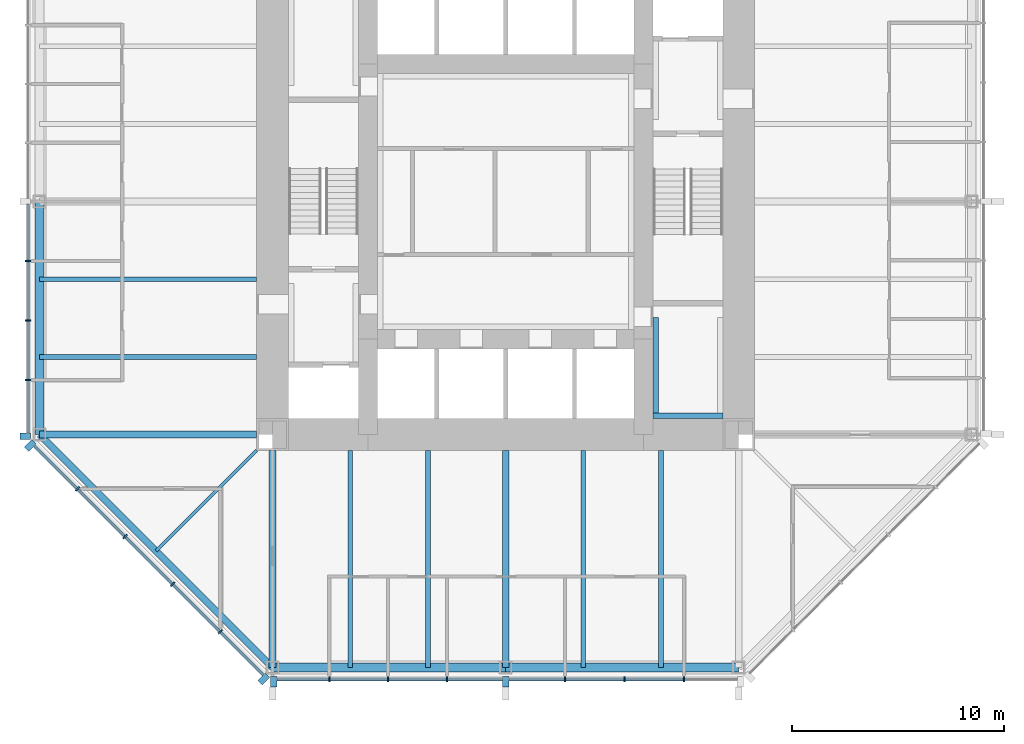
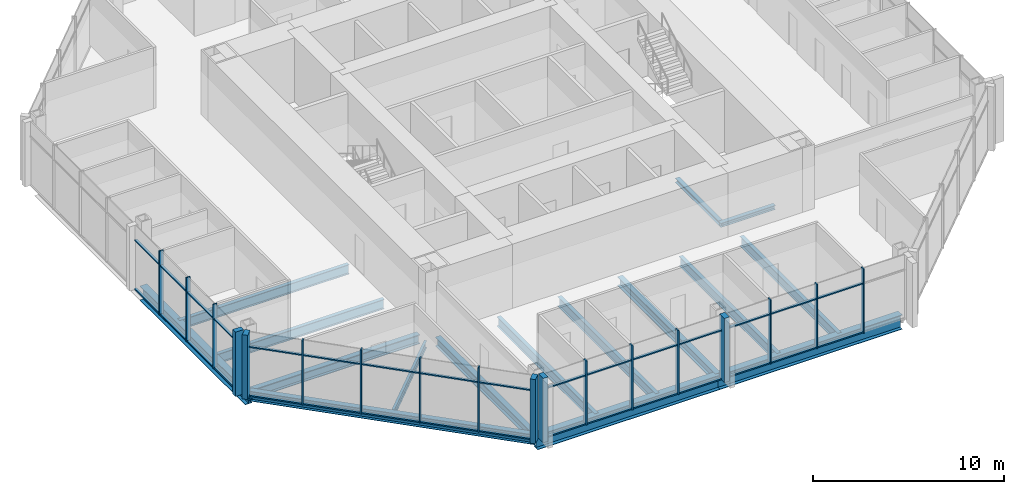
# One storey, part 2 of 12: 50 members, 16 beams, 3 elements without a shape of their own.
"""IFC4 building model written with IfcOpenShell, lengths in metres."""

from ifc_helpers import new_model, si_unit, direction, frame, origin, origin_2d, place, context, subcontext, project, spatial, rectangle, i_section, extrude, material, material_profile, profile_set, type_object, element, aggregate, save


model = new_model("IFC4")

# Units and contexts
model_context = context("Model", 3, precision=1e-05, world=origin(), true_north=direction((0.0, 1.0)))
body_context = subcontext(model_context, "Body", "Model", "MODEL_VIEW")
ifc_project = project(units=[si_unit("LENGTHUNIT", "METRE"), si_unit("AREAUNIT", "SQUARE_METRE"), si_unit("VOLUMEUNIT", "CUBIC_METRE"), si_unit("PLANEANGLEUNIT", "RADIAN"), si_unit("MASSUNIT", "GRAM", prefix="KILO")], contexts=[model_context])

# Site, building, storey
site_placement = place(None, origin())
site = spatial("IfcSite", under=ifc_project, at=site_placement, CompositionType="ELEMENT")
building_placement = place(site_placement, origin())
building = spatial("IfcBuilding", under=site, at=building_placement, Name="Trevanion Tower", CompositionType="ELEMENT")
storey_placement = place(building_placement, frame((0.0, 0.0, 162.300048828125)))
storey = spatial("IfcBuildingStorey", under=building, at=storey_placement, Name="L38", CompositionType="ELEMENT", Elevation=162.300048828125)

# Beams
ifc_material_1 = material(Name="Steel ASTM A992 Grade 50", Category="steel")
ifc_material_profile_1 = material_profile(ifc_material_1, i_section(OverallWidth=0.22900390625, OverallDepth=0.612060546875, WebThickness=0.011962890625, FlangeThickness=0.01953125, at=origin_2d()), Name="W24X84")
ifc_profile_set_1 = profile_set([ifc_material_profile_1], Name="Steel ASTM A992 Grade 50")
beam_type_1 = type_object("IfcBeamType", Name="B7 W24X84", PredefinedType="BEAM", material=ifc_profile_set_1)
for number, where, z_axis, x_axis, name in (
    (1, (-11.75, -3.666748046875, -0.49609375), (-1.0, 0.0, 0.0), (0.0, -1.0, 0.0), "B7 L38"),
    (2, (-11.75, -7.333251953125, -0.49609375), (-1.0, 0.0, 0.0), (0.0, -1.0, 0.0), "B7 L38"),
    (3, (-7.333251953125, -11.75, -0.49609375), (0.0, -1.0, 0.0), (1.0, 0.0, 0.0), "B7 L38"),
    (4, (-3.666748046875, -11.75, -0.49609375), (0.0, -1.0, 0.0), (1.0, 0.0, 0.0), "B7 L38"),
    (5, (3.666748046875, -11.75, -0.49609375), (0.0, -1.0, 0.0), (1.0, 0.0, 0.0), "B7 L38"),
    (6, (7.333251953125, -11.75, -0.49609375), (0.0, -1.0, 0.0), (1.0, 0.0, 0.0), "B7 L38"),
):
    element("IfcBeam", number, at=place(storey_placement, frame(where, z_axis=z_axis, x_axis=x_axis)), inside=storey, type_object=beam_type_1, Name=name, PredefinedType="BEAM", context=body_context, shape_type="SweptSolid", body=[
        extrude(i_section(OverallWidth=0.22900390625, OverallDepth=0.612060546875, WebThickness=0.011962890625, FlangeThickness=0.01953125, at=origin_2d()), origin(), (0.0, 0.0, 1.0), 10.25),
    ])
ifc_material_2 = material(Name="Steel ASTM A992 Grade 50", Category="steel")
ifc_material_profile_2 = material_profile(ifc_material_2, i_section(OverallWidth=0.15234375, OverallDepth=0.449462890625, WebThickness=0.007568359375, FlangeThickness=0.0107421875, at=origin_2d()), Name="W18X35")
ifc_profile_set_2 = profile_set([ifc_material_profile_2], Name="Steel ASTM A992 Grade 50")
beam_type_2 = type_object("IfcBeamType", Name="B8 W18X35", PredefinedType="BEAM", material=ifc_profile_set_2)
beam_1_placement = place(storey_placement, frame((-11.75, -11.75, -0.414794921875), z_axis=(-0.707106781187, -0.707106781187, 0.0), x_axis=(0.707106781187, -0.707106781187, 0.0)))
element("IfcBeam", 7, at=beam_1_placement, inside=storey, type_object=beam_type_2, Name="B8 L38", PredefinedType="BEAM", context=body_context, shape_type="SweptSolid", body=[
    extrude(i_section(OverallWidth=0.15234375, OverallDepth=0.449462890625, WebThickness=0.007568359375, FlangeThickness=0.0107421875, at=origin_2d()), origin(), (0.0, 0.0, 1.0), 6.717529296875),
])

# Curtain wall, members
ifc_material_3 = material(Name="Aluminium and glass", Category="aluminium")
curtain_wall_type = type_object("IfcCurtainWallType", Name="CW2 curtain wall", PredefinedType="USERDEFINED", material=ifc_material_3)
curtain_wall_1_placement = place(storey_placement, origin())
curtain_wall_1 = element("IfcCurtainWall", 8, at=curtain_wall_1_placement, inside=storey, type_object=curtain_wall_type, Name="CW2 L38 4", ObjectType="UNITISED CURTAIN WALL", PredefinedType="USERDEFINED")
ifc_material_4 = material(Name="Aluminium extrusion, anodised bronze", Category="aluminium")
ifc_material_profile_3 = material_profile(ifc_material_4, rectangle(XDim=0.074951171875, YDim=0.25, at=origin_2d()), Name="CW2 mullion")
ifc_profile_set_3 = profile_set([ifc_material_profile_3], Name="Aluminium extrusion, anodised bronze")
member_type_1 = type_object("IfcMemberType", Name="CW2 mullion", PredefinedType="MULLION", material=ifc_profile_set_3)
member_1_placement = place(storey_placement, frame((-22.550048828125, -2.806884765625, -0.18994140625), z_axis=(0.0, 0.0, 1.0), x_axis=(0.0, -1.0, 0.0)))
member_1 = element("IfcMember", 9, at=member_1_placement, type_object=member_type_1, Name="CW2 mullion 6", PredefinedType="MULLION", context=body_context, shape_type="SweptSolid", body=[
    extrude(rectangle(XDim=0.074951171875, YDim=0.25, at=origin_2d()), origin(), (0.0, 0.0, 1.0), 4.099853515625),
])
member_2_placement = place(storey_placement, frame((-22.550048828125, -5.614013671875, -0.18994140625), z_axis=(0.0, 0.0, 1.0), x_axis=(0.0, -1.0, 0.0)))
member_2 = element("IfcMember", 10, at=member_2_placement, type_object=member_type_1, Name="CW2 mullion 7", PredefinedType="MULLION", context=body_context, shape_type="SweptSolid", body=[
    extrude(rectangle(XDim=0.074951171875, YDim=0.25, at=origin_2d()), origin(), (0.0, 0.0, 1.0), 4.099853515625),
])
member_3_placement = place(storey_placement, frame((-22.550048828125, -8.4208984375, -0.18994140625), z_axis=(0.0, 0.0, 1.0), x_axis=(0.0, -1.0, 0.0)))
member_3 = element("IfcMember", 11, at=member_3_placement, type_object=member_type_1, Name="CW2 mullion 8", PredefinedType="MULLION", context=body_context, shape_type="SweptSolid", body=[
    extrude(rectangle(XDim=0.074951171875, YDim=0.25, at=origin_2d()), origin(), (0.0, 0.0, 1.0), 4.099853515625),
])

curtain_wall_2_placement = place(storey_placement, origin())
curtain_wall_2 = element("IfcCurtainWall", 12, at=curtain_wall_2_placement, inside=storey, type_object=curtain_wall_type, Name="CW2 L38 5", ObjectType="UNITISED CURTAIN WALL", PredefinedType="USERDEFINED")
member_4_placement = place(storey_placement, frame((-20.2119140625, -13.56591796875, -0.18994140625), z_axis=(0.0, 0.0, 1.0), x_axis=(0.707106781187, -0.707106781187, 0.0)))
member_4 = element("IfcMember", 13, at=member_4_placement, type_object=member_type_1, Name="CW2 mullion 2", PredefinedType="MULLION", context=body_context, shape_type="SweptSolid", body=[
    extrude(rectangle(XDim=0.074951171875, YDim=0.25, at=origin_2d()), origin(), (0.0, 0.0, 1.0), 4.099853515625),
])
member_5_placement = place(storey_placement, frame((-17.966064453125, -15.811767578125, -0.18994140625), z_axis=(0.0, 0.0, 1.0), x_axis=(0.707106781187, -0.707106781187, 0.0)))
member_5 = element("IfcMember", 14, at=member_5_placement, type_object=member_type_1, Name="CW2 mullion 3", PredefinedType="MULLION", context=body_context, shape_type="SweptSolid", body=[
    extrude(rectangle(XDim=0.074951171875, YDim=0.25, at=origin_2d()), origin(), (0.0, 0.0, 1.0), 4.099853515625),
])
member_6_placement = place(storey_placement, frame((-15.719970703125, -18.057861328125, -0.18994140625), z_axis=(0.0, 0.0, 1.0), x_axis=(0.707106781187, -0.707106781187, 0.0)))
member_6 = element("IfcMember", 15, at=member_6_placement, type_object=member_type_1, Name="CW2 mullion 4", PredefinedType="MULLION", context=body_context, shape_type="SweptSolid", body=[
    extrude(rectangle(XDim=0.074951171875, YDim=0.25, at=origin_2d()), origin(), (0.0, 0.0, 1.0), 4.099853515625),
])
member_7_placement = place(storey_placement, frame((-13.473876953125, -20.303955078125, -0.18994140625), z_axis=(0.0, 0.0, 1.0), x_axis=(0.707106781187, -0.707106781187, 0.0)))
member_7 = element("IfcMember", 16, at=member_7_placement, type_object=member_type_1, Name="CW2 mullion 5", PredefinedType="MULLION", context=body_context, shape_type="SweptSolid", body=[
    extrude(rectangle(XDim=0.074951171875, YDim=0.25, at=origin_2d()), origin(), (0.0, 0.0, 1.0), 4.099853515625),
])

curtain_wall_3_placement = place(storey_placement, origin())
curtain_wall_3 = element("IfcCurtainWall", 17, at=curtain_wall_3_placement, inside=storey, type_object=curtain_wall_type, Name="CW2 L38 6", ObjectType="UNITISED CURTAIN WALL", PredefinedType="USERDEFINED")
member_8_placement = place(storey_placement, frame((-8.323486328125, -22.550048828125, -0.18994140625), z_axis=(0.0, 0.0, 1.0), x_axis=(1.0, 0.0, 0.0)))
member_8 = element("IfcMember", 18, at=member_8_placement, type_object=member_type_1, Name="CW2 mullion 2", PredefinedType="MULLION", context=body_context, shape_type="SweptSolid", body=[
    extrude(rectangle(XDim=0.074951171875, YDim=0.25, at=origin_2d()), origin(), (0.0, 0.0, 1.0), 4.099853515625),
])
member_9_placement = place(storey_placement, frame((-5.548828125, -22.550048828125, -0.18994140625), z_axis=(0.0, 0.0, 1.0), x_axis=(1.0, 0.0, 0.0)))
member_9 = element("IfcMember", 19, at=member_9_placement, type_object=member_type_1, Name="CW2 mullion 3", PredefinedType="MULLION", context=body_context, shape_type="SweptSolid", body=[
    extrude(rectangle(XDim=0.074951171875, YDim=0.25, at=origin_2d()), origin(), (0.0, 0.0, 1.0), 4.099853515625),
])
member_10_placement = place(storey_placement, frame((-2.7744140625, -22.550048828125, -0.18994140625), z_axis=(0.0, 0.0, 1.0), x_axis=(1.0, 0.0, 0.0)))
member_10 = element("IfcMember", 20, at=member_10_placement, type_object=member_type_1, Name="CW2 mullion 4", PredefinedType="MULLION", context=body_context, shape_type="SweptSolid", body=[
    extrude(rectangle(XDim=0.074951171875, YDim=0.25, at=origin_2d()), origin(), (0.0, 0.0, 1.0), 4.099853515625),
])
member_11_placement = place(storey_placement, frame((2.806884765625, -22.550048828125, -0.18994140625), z_axis=(0.0, 0.0, 1.0), x_axis=(1.0, 0.0, 0.0)))
member_11 = element("IfcMember", 21, at=member_11_placement, type_object=member_type_1, Name="CW2 mullion 6", PredefinedType="MULLION", context=body_context, shape_type="SweptSolid", body=[
    extrude(rectangle(XDim=0.074951171875, YDim=0.25, at=origin_2d()), origin(), (0.0, 0.0, 1.0), 4.099853515625),
])
member_12_placement = place(storey_placement, frame((5.614013671875, -22.550048828125, -0.18994140625), z_axis=(0.0, 0.0, 1.0), x_axis=(1.0, 0.0, 0.0)))
member_12 = element("IfcMember", 22, at=member_12_placement, type_object=member_type_1, Name="CW2 mullion 7", PredefinedType="MULLION", context=body_context, shape_type="SweptSolid", body=[
    extrude(rectangle(XDim=0.074951171875, YDim=0.25, at=origin_2d()), origin(), (0.0, 0.0, 1.0), 4.099853515625),
])
member_13_placement = place(storey_placement, frame((8.4208984375, -22.550048828125, -0.18994140625), z_axis=(0.0, 0.0, 1.0), x_axis=(1.0, 0.0, 0.0)))
member_13 = element("IfcMember", 23, at=member_13_placement, type_object=member_type_1, Name="CW2 mullion 8", PredefinedType="MULLION", context=body_context, shape_type="SweptSolid", body=[
    extrude(rectangle(XDim=0.074951171875, YDim=0.25, at=origin_2d()), origin(), (0.0, 0.0, 1.0), 4.099853515625),
])

# Member
ifc_material_5 = material(Name="Aluminium extrusion, anodised bronze", Category="aluminium")
ifc_material_profile_4 = material_profile(ifc_material_5, rectangle(XDim=0.300048828125, YDim=0.5, at=origin_2d()), Name="CW2 pier mullion")
ifc_profile_set_4 = profile_set([ifc_material_profile_4], Name="Aluminium extrusion, anodised bronze")
member_type_2 = type_object("IfcMemberType", Name="CW2 pier mullion", PredefinedType="MULLION", material=ifc_profile_set_4)
member_14_placement = place(storey_placement, frame((-22.675048828125, -11.077880859375, -0.18994140625), z_axis=(0.0, 0.0, 1.0), x_axis=(0.0, -1.0, 0.0)))
member_14 = element("IfcMember", 24, at=member_14_placement, type_object=member_type_2, Name="CW2 pier mullion 9", PredefinedType="MULLION", context=body_context, shape_type="SweptSolid", body=[
    extrude(rectangle(XDim=0.300048828125, YDim=0.5, at=origin_2d()), origin(), (0.0, 0.0, 1.0), 4.099853515625),
])

member_15_placement = place(storey_placement, frame((-22.4404296875, -11.51416015625, -0.18994140625), z_axis=(0.0, 0.0, 1.0), x_axis=(0.707106781187, -0.707106781187, 0.0)))
member_15 = element("IfcMember", 25, at=member_15_placement, type_object=member_type_2, Name="CW2 pier mullion 1", PredefinedType="MULLION", context=body_context, shape_type="SweptSolid", body=[
    extrude(rectangle(XDim=0.300048828125, YDim=0.5, at=origin_2d()), origin(), (0.0, 0.0, 1.0), 4.099853515625),
])

member_16_placement = place(storey_placement, frame((-11.42236328125, -22.5322265625, -0.18994140625), z_axis=(0.0, 0.0, 1.0), x_axis=(0.707106781187, -0.707106781187, 0.0)))
member_16 = element("IfcMember", 26, at=member_16_placement, type_object=member_type_2, Name="CW2 pier mullion 6", PredefinedType="MULLION", context=body_context, shape_type="SweptSolid", body=[
    extrude(rectangle(XDim=0.300048828125, YDim=0.5, at=origin_2d()), origin(), (0.0, 0.0, 1.0), 4.099853515625),
])

member_17_placement = place(storey_placement, frame((-10.94775390625, -22.675048828125, -0.18994140625), z_axis=(0.0, 0.0, 1.0), x_axis=(1.0, 0.0, 0.0)))
member_17 = element("IfcMember", 27, at=member_17_placement, type_object=member_type_2, Name="CW2 pier mullion 1", PredefinedType="MULLION", context=body_context, shape_type="SweptSolid", body=[
    extrude(rectangle(XDim=0.300048828125, YDim=0.5, at=origin_2d()), origin(), (0.0, 0.0, 1.0), 4.099853515625),
])

member_18_placement = place(storey_placement, frame((0.0, -22.675048828125, -0.18994140625), z_axis=(0.0, 0.0, 1.0), x_axis=(1.0, 0.0, 0.0)))
member_18 = element("IfcMember", 28, at=member_18_placement, type_object=member_type_2, Name="CW2 pier mullion 5", PredefinedType="MULLION", context=body_context, shape_type="SweptSolid", body=[
    extrude(rectangle(XDim=0.300048828125, YDim=0.5, at=origin_2d()), origin(), (0.0, 0.0, 1.0), 4.099853515625),
])

ifc_material_6 = material(Name="Aluminium extrusion, anodised bronze", Category="aluminium")
ifc_material_profile_5 = material_profile(ifc_material_6, rectangle(XDim=0.14990234375, YDim=0.074951171875, at=origin_2d()), Name="CW2 transom")
ifc_profile_set_5 = profile_set([ifc_material_profile_5], Name="Aluminium extrusion, anodised bronze")
member_type_3 = type_object("IfcMemberType", Name="CW2 transom", PredefinedType="USERDEFINED", material=ifc_profile_set_5)
member_19_placement = place(storey_placement, frame((-22.550048828125, -0.14990234375, -0.152587890625), z_axis=(0.0, -1.0, 0.0), x_axis=(1.0, 0.0, 0.0)))
member_19 = element("IfcMember", 29, at=member_19_placement, type_object=member_type_3, Name="CW2 transom 5.1", ObjectType="TRANSOM", PredefinedType="USERDEFINED", context=body_context, shape_type="SweptSolid", body=[
    extrude(rectangle(XDim=0.14990234375, YDim=0.074951171875, at=origin_2d()), origin(), (0.0, 0.0, 1.0), 2.619384765625),
])

member_20_placement = place(storey_placement, frame((-22.550048828125, -0.14990234375, 2.9599609375), z_axis=(0.0, -1.0, 0.0), x_axis=(1.0, 0.0, 0.0)))
member_20 = element("IfcMember", 30, at=member_20_placement, type_object=member_type_3, Name="CW2 transom 5.2", ObjectType="TRANSOM", PredefinedType="USERDEFINED", context=body_context, shape_type="SweptSolid", body=[
    extrude(rectangle(XDim=0.14990234375, YDim=0.074951171875, at=origin_2d()), origin(), (0.0, 0.0, 1.0), 2.619384765625),
])

member_21_placement = place(storey_placement, frame((-22.550048828125, -2.844482421875, -0.152587890625), z_axis=(0.0, -1.0, 0.0), x_axis=(1.0, 0.0, 0.0)))
member_21 = element("IfcMember", 31, at=member_21_placement, type_object=member_type_3, Name="CW2 transom 6.1", ObjectType="TRANSOM", PredefinedType="USERDEFINED", context=body_context, shape_type="SweptSolid", body=[
    extrude(rectangle(XDim=0.14990234375, YDim=0.074951171875, at=origin_2d()), origin(), (0.0, 0.0, 1.0), 2.73193359375),
])

member_22_placement = place(storey_placement, frame((-22.550048828125, -2.844482421875, 2.9599609375), z_axis=(0.0, -1.0, 0.0), x_axis=(1.0, 0.0, 0.0)))
member_22 = element("IfcMember", 32, at=member_22_placement, type_object=member_type_3, Name="CW2 transom 6.2", ObjectType="TRANSOM", PredefinedType="USERDEFINED", context=body_context, shape_type="SweptSolid", body=[
    extrude(rectangle(XDim=0.14990234375, YDim=0.074951171875, at=origin_2d()), origin(), (0.0, 0.0, 1.0), 2.73193359375),
])

member_23_placement = place(storey_placement, frame((-22.550048828125, -5.6513671875, -0.152587890625), z_axis=(0.0, -1.0, 0.0), x_axis=(1.0, 0.0, 0.0)))
member_23 = element("IfcMember", 33, at=member_23_placement, type_object=member_type_3, Name="CW2 transom 7.1", ObjectType="TRANSOM", PredefinedType="USERDEFINED", context=body_context, shape_type="SweptSolid", body=[
    extrude(rectangle(XDim=0.14990234375, YDim=0.074951171875, at=origin_2d()), origin(), (0.0, 0.0, 1.0), 2.73193359375),
])

member_24_placement = place(storey_placement, frame((-22.550048828125, -5.6513671875, 2.9599609375), z_axis=(0.0, -1.0, 0.0), x_axis=(1.0, 0.0, 0.0)))
member_24 = element("IfcMember", 34, at=member_24_placement, type_object=member_type_3, Name="CW2 transom 7.2", ObjectType="TRANSOM", PredefinedType="USERDEFINED", context=body_context, shape_type="SweptSolid", body=[
    extrude(rectangle(XDim=0.14990234375, YDim=0.074951171875, at=origin_2d()), origin(), (0.0, 0.0, 1.0), 2.73193359375),
])

member_25_placement = place(storey_placement, frame((-22.550048828125, -8.45849609375, -0.152587890625), z_axis=(0.0, -1.0, 0.0), x_axis=(1.0, 0.0, 0.0)))
member_25 = element("IfcMember", 35, at=member_25_placement, type_object=member_type_3, Name="CW2 transom 8.1", ObjectType="TRANSOM", PredefinedType="USERDEFINED", context=body_context, shape_type="SweptSolid", body=[
    extrude(rectangle(XDim=0.14990234375, YDim=0.074951171875, at=origin_2d()), origin(), (0.0, 0.0, 1.0), 2.46923828125),
])

member_26_placement = place(storey_placement, frame((-22.550048828125, -8.45849609375, 2.9599609375), z_axis=(0.0, -1.0, 0.0), x_axis=(1.0, 0.0, 0.0)))
member_26 = element("IfcMember", 36, at=member_26_placement, type_object=member_type_3, Name="CW2 transom 8.2", ObjectType="TRANSOM", PredefinedType="USERDEFINED", context=body_context, shape_type="SweptSolid", body=[
    extrude(rectangle(XDim=0.14990234375, YDim=0.074951171875, at=origin_2d()), origin(), (0.0, 0.0, 1.0), 2.46923828125),
])

aggregate(curtain_wall_1, [member_1, member_2, member_3, member_14, member_19, member_20, member_21, member_22, member_23, member_24, member_25, member_26])

member_27_placement = place(storey_placement, frame((-22.245849609375, -11.531982421875, -0.152587890625), z_axis=(0.707106781187, -0.707106781187, 0.0), x_axis=(0.707106781187, 0.707106781187, 0.0)))
member_27 = element("IfcMember", 37, at=member_27_placement, type_object=member_type_3, Name="CW2 transom 1.1", ObjectType="TRANSOM", PredefinedType="USERDEFINED", context=body_context, shape_type="SweptSolid", body=[
    extrude(rectangle(XDim=0.14990234375, YDim=0.074951171875, at=origin_2d()), origin(), (0.0, 0.0, 1.0), 2.8388671875),
])

member_28_placement = place(storey_placement, frame((-22.245849609375, -11.531982421875, 2.9599609375), z_axis=(0.707106781187, -0.707106781187, 0.0), x_axis=(0.707106781187, 0.707106781187, 0.0)))
member_28 = element("IfcMember", 38, at=member_28_placement, type_object=member_type_3, Name="CW2 transom 1.2", ObjectType="TRANSOM", PredefinedType="USERDEFINED", context=body_context, shape_type="SweptSolid", body=[
    extrude(rectangle(XDim=0.14990234375, YDim=0.074951171875, at=origin_2d()), origin(), (0.0, 0.0, 1.0), 2.8388671875),
])

member_29_placement = place(storey_placement, frame((-20.185546875, -13.59228515625, -0.152587890625), z_axis=(0.707106781187, -0.707106781187, 0.0), x_axis=(0.707106781187, 0.707106781187, 0.0)))
member_29 = element("IfcMember", 39, at=member_29_placement, type_object=member_type_3, Name="CW2 transom 2.1", ObjectType="TRANSOM", PredefinedType="USERDEFINED", context=body_context, shape_type="SweptSolid", body=[
    extrude(rectangle(XDim=0.14990234375, YDim=0.074951171875, at=origin_2d()), origin(), (0.0, 0.0, 1.0), 3.1015625),
])

member_30_placement = place(storey_placement, frame((-20.185546875, -13.59228515625, 2.9599609375), z_axis=(0.707106781187, -0.707106781187, 0.0), x_axis=(0.707106781187, 0.707106781187, 0.0)))
member_30 = element("IfcMember", 40, at=member_30_placement, type_object=member_type_3, Name="CW2 transom 2.2", ObjectType="TRANSOM", PredefinedType="USERDEFINED", context=body_context, shape_type="SweptSolid", body=[
    extrude(rectangle(XDim=0.14990234375, YDim=0.074951171875, at=origin_2d()), origin(), (0.0, 0.0, 1.0), 3.1015625),
])

member_31_placement = place(storey_placement, frame((-17.939453125, -15.83837890625, -0.152587890625), z_axis=(0.707106781187, -0.707106781187, 0.0), x_axis=(0.707106781187, 0.707106781187, 0.0)))
member_31 = element("IfcMember", 41, at=member_31_placement, type_object=member_type_3, Name="CW2 transom 3.1", ObjectType="TRANSOM", PredefinedType="USERDEFINED", context=body_context, shape_type="SweptSolid", body=[
    extrude(rectangle(XDim=0.14990234375, YDim=0.074951171875, at=origin_2d()), origin(), (0.0, 0.0, 1.0), 3.1015625),
])

member_32_placement = place(storey_placement, frame((-17.939453125, -15.83837890625, 2.9599609375), z_axis=(0.707106781187, -0.707106781187, 0.0), x_axis=(0.707106781187, 0.707106781187, 0.0)))
member_32 = element("IfcMember", 42, at=member_32_placement, type_object=member_type_3, Name="CW2 transom 3.2", ObjectType="TRANSOM", PredefinedType="USERDEFINED", context=body_context, shape_type="SweptSolid", body=[
    extrude(rectangle(XDim=0.14990234375, YDim=0.074951171875, at=origin_2d()), origin(), (0.0, 0.0, 1.0), 3.1015625),
])

member_33_placement = place(storey_placement, frame((-15.693359375, -18.08447265625, -0.152587890625), z_axis=(0.707106781187, -0.707106781187, 0.0), x_axis=(0.707106781187, 0.707106781187, 0.0)))
member_33 = element("IfcMember", 43, at=member_33_placement, type_object=member_type_3, Name="CW2 transom 4.1", ObjectType="TRANSOM", PredefinedType="USERDEFINED", context=body_context, shape_type="SweptSolid", body=[
    extrude(rectangle(XDim=0.14990234375, YDim=0.074951171875, at=origin_2d()), origin(), (0.0, 0.0, 1.0), 3.10107421875),
])

member_34_placement = place(storey_placement, frame((-15.693359375, -18.08447265625, 2.9599609375), z_axis=(0.707106781187, -0.707106781187, 0.0), x_axis=(0.707106781187, 0.707106781187, 0.0)))
member_34 = element("IfcMember", 44, at=member_34_placement, type_object=member_type_3, Name="CW2 transom 4.2", ObjectType="TRANSOM", PredefinedType="USERDEFINED", context=body_context, shape_type="SweptSolid", body=[
    extrude(rectangle(XDim=0.14990234375, YDim=0.074951171875, at=origin_2d()), origin(), (0.0, 0.0, 1.0), 3.10107421875),
])

member_35_placement = place(storey_placement, frame((-13.447509765625, -20.33056640625, -0.152587890625), z_axis=(0.707149778163, -0.707063781595, 0.0), x_axis=(0.707063781595, 0.707149778163, 0.0)))
member_35 = element("IfcMember", 45, at=member_35_placement, type_object=member_type_3, Name="CW2 transom 5.1", ObjectType="TRANSOM", PredefinedType="USERDEFINED", context=body_context, shape_type="SweptSolid", body=[
    extrude(rectangle(XDim=0.14990234375, YDim=0.074951171875, at=origin_2d()), origin(), (0.0, 0.0, 1.0), 2.8388671875),
])

member_36_placement = place(storey_placement, frame((-13.447509765625, -20.33056640625, 2.9599609375), z_axis=(0.707149778163, -0.707063781595, 0.0), x_axis=(0.707063781595, 0.707149778163, 0.0)))
member_36 = element("IfcMember", 46, at=member_36_placement, type_object=member_type_3, Name="CW2 transom 5.2", ObjectType="TRANSOM", PredefinedType="USERDEFINED", context=body_context, shape_type="SweptSolid", body=[
    extrude(rectangle(XDim=0.14990234375, YDim=0.074951171875, at=origin_2d()), origin(), (0.0, 0.0, 1.0), 2.8388671875),
])

aggregate(curtain_wall_2, [member_15, member_4, member_5, member_6, member_7, member_16, member_27, member_28, member_29, member_30, member_31, member_32, member_33, member_34, member_35, member_36])

member_37_placement = place(storey_placement, frame((-10.7978515625, -22.550048828125, -0.152587890625), z_axis=(1.0, 0.0, 0.0), x_axis=(0.0, 1.0, 0.0)))
member_37 = element("IfcMember", 47, at=member_37_placement, type_object=member_type_3, Name="CW2 transom 1.1", ObjectType="TRANSOM", PredefinedType="USERDEFINED", context=body_context, shape_type="SweptSolid", body=[
    extrude(rectangle(XDim=0.14990234375, YDim=0.074951171875, at=origin_2d()), origin(), (0.0, 0.0, 1.0), 2.43701171875),
])

member_38_placement = place(storey_placement, frame((-10.7978515625, -22.550048828125, 2.9599609375), z_axis=(1.0, 0.0, 0.0), x_axis=(0.0, 1.0, 0.0)))
member_38 = element("IfcMember", 48, at=member_38_placement, type_object=member_type_3, Name="CW2 transom 1.2", ObjectType="TRANSOM", PredefinedType="USERDEFINED", context=body_context, shape_type="SweptSolid", body=[
    extrude(rectangle(XDim=0.14990234375, YDim=0.074951171875, at=origin_2d()), origin(), (0.0, 0.0, 1.0), 2.43701171875),
])

member_39_placement = place(storey_placement, frame((-8.285888671875, -22.550048828125, -0.152587890625), z_axis=(1.0, 0.0, 0.0), x_axis=(0.0, 1.0, 0.0)))
member_39 = element("IfcMember", 49, at=member_39_placement, type_object=member_type_3, Name="CW2 transom 2.1", ObjectType="TRANSOM", PredefinedType="USERDEFINED", context=body_context, shape_type="SweptSolid", body=[
    extrude(rectangle(XDim=0.14990234375, YDim=0.074951171875, at=origin_2d()), origin(), (0.0, 0.0, 1.0), 2.699462890625),
])

member_40_placement = place(storey_placement, frame((-8.285888671875, -22.550048828125, 2.9599609375), z_axis=(1.0, 0.0, 0.0), x_axis=(0.0, 1.0, 0.0)))
member_40 = element("IfcMember", 50, at=member_40_placement, type_object=member_type_3, Name="CW2 transom 2.2", ObjectType="TRANSOM", PredefinedType="USERDEFINED", context=body_context, shape_type="SweptSolid", body=[
    extrude(rectangle(XDim=0.14990234375, YDim=0.074951171875, at=origin_2d()), origin(), (0.0, 0.0, 1.0), 2.699462890625),
])

member_41_placement = place(storey_placement, frame((-5.511474609375, -22.550048828125, -0.152587890625), z_axis=(1.0, 0.0, 0.0), x_axis=(0.0, 1.0, 0.0)))
member_41 = element("IfcMember", 51, at=member_41_placement, type_object=member_type_3, Name="CW2 transom 3.1", ObjectType="TRANSOM", PredefinedType="USERDEFINED", context=body_context, shape_type="SweptSolid", body=[
    extrude(rectangle(XDim=0.14990234375, YDim=0.074951171875, at=origin_2d()), origin(), (0.0, 0.0, 1.0), 2.699462890625),
])

member_42_placement = place(storey_placement, frame((-5.511474609375, -22.550048828125, 2.9599609375), z_axis=(1.0, 0.0, 0.0), x_axis=(0.0, 1.0, 0.0)))
member_42 = element("IfcMember", 52, at=member_42_placement, type_object=member_type_3, Name="CW2 transom 3.2", ObjectType="TRANSOM", PredefinedType="USERDEFINED", context=body_context, shape_type="SweptSolid", body=[
    extrude(rectangle(XDim=0.14990234375, YDim=0.074951171875, at=origin_2d()), origin(), (0.0, 0.0, 1.0), 2.699462890625),
])

member_43_placement = place(storey_placement, frame((-2.737060546875, -22.550048828125, -0.152587890625), z_axis=(1.0, 0.0, 0.0), x_axis=(0.0, 1.0, 0.0)))
member_43 = element("IfcMember", 53, at=member_43_placement, type_object=member_type_3, Name="CW2 transom 4.1", ObjectType="TRANSOM", PredefinedType="USERDEFINED", context=body_context, shape_type="SweptSolid", body=[
    extrude(rectangle(XDim=0.14990234375, YDim=0.074951171875, at=origin_2d()), origin(), (0.0, 0.0, 1.0), 2.587158203125),
])

member_44_placement = place(storey_placement, frame((-2.737060546875, -22.550048828125, 2.9599609375), z_axis=(1.0, 0.0, 0.0), x_axis=(0.0, 1.0, 0.0)))
member_44 = element("IfcMember", 54, at=member_44_placement, type_object=member_type_3, Name="CW2 transom 4.2", ObjectType="TRANSOM", PredefinedType="USERDEFINED", context=body_context, shape_type="SweptSolid", body=[
    extrude(rectangle(XDim=0.14990234375, YDim=0.074951171875, at=origin_2d()), origin(), (0.0, 0.0, 1.0), 2.587158203125),
])

member_45_placement = place(storey_placement, frame((0.14990234375, -22.550048828125, -0.152587890625), z_axis=(1.0, 0.0, 0.0), x_axis=(0.0, 1.0, 0.0)))
member_45 = element("IfcMember", 55, at=member_45_placement, type_object=member_type_3, Name="CW2 transom 5.1", ObjectType="TRANSOM", PredefinedType="USERDEFINED", context=body_context, shape_type="SweptSolid", body=[
    extrude(rectangle(XDim=0.14990234375, YDim=0.074951171875, at=origin_2d()), origin(), (0.0, 0.0, 1.0), 2.619384765625),
])

member_46_placement = place(storey_placement, frame((0.14990234375, -22.550048828125, 2.9599609375), z_axis=(1.0, 0.0, 0.0), x_axis=(0.0, 1.0, 0.0)))
member_46 = element("IfcMember", 56, at=member_46_placement, type_object=member_type_3, Name="CW2 transom 5.2", ObjectType="TRANSOM", PredefinedType="USERDEFINED", context=body_context, shape_type="SweptSolid", body=[
    extrude(rectangle(XDim=0.14990234375, YDim=0.074951171875, at=origin_2d()), origin(), (0.0, 0.0, 1.0), 2.619384765625),
])

member_47_placement = place(storey_placement, frame((2.844482421875, -22.550048828125, -0.152587890625), z_axis=(1.0, 0.0, 0.0), x_axis=(0.0, 1.0, 0.0)))
member_47 = element("IfcMember", 57, at=member_47_placement, type_object=member_type_3, Name="CW2 transom 6.1", ObjectType="TRANSOM", PredefinedType="USERDEFINED", context=body_context, shape_type="SweptSolid", body=[
    extrude(rectangle(XDim=0.14990234375, YDim=0.074951171875, at=origin_2d()), origin(), (0.0, 0.0, 1.0), 2.73193359375),
])

member_48_placement = place(storey_placement, frame((2.844482421875, -22.550048828125, 2.9599609375), z_axis=(1.0, 0.0, 0.0), x_axis=(0.0, 1.0, 0.0)))
member_48 = element("IfcMember", 58, at=member_48_placement, type_object=member_type_3, Name="CW2 transom 6.2", ObjectType="TRANSOM", PredefinedType="USERDEFINED", context=body_context, shape_type="SweptSolid", body=[
    extrude(rectangle(XDim=0.14990234375, YDim=0.074951171875, at=origin_2d()), origin(), (0.0, 0.0, 1.0), 2.73193359375),
])

member_49_placement = place(storey_placement, frame((5.6513671875, -22.550048828125, -0.152587890625), z_axis=(1.0, 0.0, 0.0), x_axis=(0.0, 1.0, 0.0)))
member_49 = element("IfcMember", 59, at=member_49_placement, type_object=member_type_3, Name="CW2 transom 7.1", ObjectType="TRANSOM", PredefinedType="USERDEFINED", context=body_context, shape_type="SweptSolid", body=[
    extrude(rectangle(XDim=0.14990234375, YDim=0.074951171875, at=origin_2d()), origin(), (0.0, 0.0, 1.0), 2.73193359375),
])

member_50_placement = place(storey_placement, frame((5.6513671875, -22.550048828125, 2.9599609375), z_axis=(1.0, 0.0, 0.0), x_axis=(0.0, 1.0, 0.0)))
member_50 = element("IfcMember", 60, at=member_50_placement, type_object=member_type_3, Name="CW2 transom 7.2", ObjectType="TRANSOM", PredefinedType="USERDEFINED", context=body_context, shape_type="SweptSolid", body=[
    extrude(rectangle(XDim=0.14990234375, YDim=0.074951171875, at=origin_2d()), origin(), (0.0, 0.0, 1.0), 2.73193359375),
])

aggregate(curtain_wall_3, [member_17, member_8, member_9, member_10, member_18, member_11, member_12, member_13, member_37, member_38, member_39, member_40, member_41, member_42, member_43, member_44, member_45, member_46, member_47, member_48, member_49, member_50])

# Beams
ifc_material_7 = material(Name="Steel ASTM A992 Grade 50", Category="steel")
ifc_material_profile_6 = material_profile(ifc_material_7, i_section(OverallWidth=0.320068359375, OverallDepth=0.584228515625, WebThickness=0.023193359375, FlangeThickness=0.04150390625, at=origin_2d()), Name="W21X201")
ifc_profile_set_6 = profile_set([ifc_material_profile_6], Name="Steel ASTM A992 Grade 50")
beam_type_3 = type_object("IfcBeamType", Name="G4 W21X201", PredefinedType="BEAM", material=ifc_profile_set_6)
for number, where, z_axis, x_axis, name in (
    (61, (-11.75, -11.0, -0.482177734375), (-1.0, 0.0, 0.0), (0.0, -1.0, 0.0), "G4 L38"),
    (62, (-11.0, -11.75, -0.482177734375), (0.0, -1.0, 0.0), (1.0, 0.0, 0.0), "G4 L38"),
    (63, (0.0, -11.75, -0.482177734375), (0.0, -1.0, 0.0), (1.0, 0.0, 0.0), "G4 L38"),
):
    element("IfcBeam", number, at=place(storey_placement, frame(where, z_axis=z_axis, x_axis=x_axis)), inside=storey, type_object=beam_type_3, Name=name, PredefinedType="BEAM", context=body_context, shape_type="SweptSolid", body=[
        extrude(i_section(OverallWidth=0.320068359375, OverallDepth=0.584228515625, WebThickness=0.023193359375, FlangeThickness=0.04150390625, at=origin_2d()), origin(), (0.0, 0.0, 1.0), 10.25),
    ])
ifc_material_8 = material(Name="Steel ASTM A992 Grade 50", Category="steel")
ifc_material_profile_7 = material_profile(ifc_material_8, i_section(OverallWidth=0.256591796875, OverallDepth=0.26416015625, WebThickness=0.011962890625, FlangeThickness=0.01953125, at=origin_2d()), Name="W10X68")
ifc_profile_set_7 = profile_set([ifc_material_profile_7], Name="Steel ASTM A992 Grade 50")
beam_type_4 = type_object("IfcBeamType", Name="LB1 W10X68", PredefinedType="BEAM", material=ifc_profile_set_7)
beam_2_placement = place(storey_placement, frame((7.078369140625, -10.25, -0.33203125), z_axis=(0.0, 1.0, 0.0), x_axis=(-1.0, 0.0, 0.0)))
element("IfcBeam", 64, at=beam_2_placement, inside=storey, type_object=beam_type_4, Name="LB1 L38", PredefinedType="BEAM", context=body_context, shape_type="SweptSolid", body=[
    extrude(i_section(OverallWidth=0.256591796875, OverallDepth=0.26416015625, WebThickness=0.011962890625, FlangeThickness=0.01953125, at=origin_2d()), origin(), (0.0, 0.0, 1.0), 4.77490234375),
])
beam_3_placement = place(storey_placement, frame((6.949951171875, -10.12158203125, -0.33203125), z_axis=(1.0, 0.0, 0.0), x_axis=(0.0, 1.0, 0.0)))
element("IfcBeam", 65, at=beam_3_placement, inside=storey, type_object=beam_type_4, Name="LB1 L38", PredefinedType="BEAM", context=body_context, shape_type="SweptSolid", body=[
    extrude(i_section(OverallWidth=0.256591796875, OverallDepth=0.26416015625, WebThickness=0.011962890625, FlangeThickness=0.01953125, at=origin_2d()), origin(), (0.0, 0.0, 1.0), 3.300048828125),
])
ifc_material_9 = material(Name="Steel ASTM A992 Grade 50", Category="steel")
ifc_material_profile_8 = material_profile(ifc_material_9, i_section(OverallWidth=0.419189453125, OverallDepth=0.927001953125, WebThickness=0.019287109375, FlangeThickness=0.031982421875, at=origin_2d()), Name="W36X231")
ifc_profile_set_8 = profile_set([ifc_material_profile_8], Name="Steel ASTM A992 Grade 50")
beam_type_5 = type_object("IfcBeamType", Name="SB4 W36X231", PredefinedType="SPANDREL", material=ifc_profile_set_8)
for number, where, z_axis, x_axis, name in (
    (66, (-22.0, 0.0, -0.653564453125), (0.0, -1.0, 0.0), (1.0, 0.0, 0.0), "SB4 L38"),
    (67, (-11.0, -22.0, -0.653564453125), (1.0, 0.0, 0.0), (0.0, 1.0, 0.0), "SB4 L38"),
    (68, (0.0, -22.0, -0.653564453125), (1.0, 0.0, 0.0), (0.0, 1.0, 0.0), "SB4 L38"),
):
    element("IfcBeam", number, at=place(storey_placement, frame(where, z_axis=z_axis, x_axis=x_axis)), inside=storey, type_object=beam_type_5, Name=name, PredefinedType="SPANDREL", context=body_context, shape_type="SweptSolid", body=[
        extrude(i_section(OverallWidth=0.419189453125, OverallDepth=0.927001953125, WebThickness=0.019287109375, FlangeThickness=0.031982421875, at=origin_2d()), origin(), (0.0, 0.0, 1.0), 11.0),
    ])
ifc_material_10 = material(Name="Steel ASTM A992 Grade 50", Category="steel")
ifc_material_profile_9 = material_profile(ifc_material_10, i_section(OverallWidth=0.32763671875, OverallDepth=0.62744140625, WebThickness=0.0166015625, FlangeThickness=0.027587890625, at=origin_2d()), Name="W24X146")
ifc_profile_set_9 = profile_set([ifc_material_profile_9], Name="Steel ASTM A992 Grade 50")
beam_type_6 = type_object("IfcBeamType", Name="SB5 W24X146", PredefinedType="SPANDREL", material=ifc_profile_set_9)
beam_4_placement = place(storey_placement, frame((-22.0, -11.0, -0.503662109375), z_axis=(0.707106781187, -0.707106781187, 0.0), x_axis=(0.707106781187, 0.707106781187, 0.0)))
element("IfcBeam", 69, at=beam_4_placement, inside=storey, type_object=beam_type_6, Name="SB5 L38", PredefinedType="SPANDREL", context=body_context, shape_type="SweptSolid", body=[
    extrude(i_section(OverallWidth=0.32763671875, OverallDepth=0.62744140625, WebThickness=0.0166015625, FlangeThickness=0.027587890625, at=origin_2d()), origin(), (0.0, 0.0, 1.0), 15.556396484375),
])

save(model, "model.ifc")
